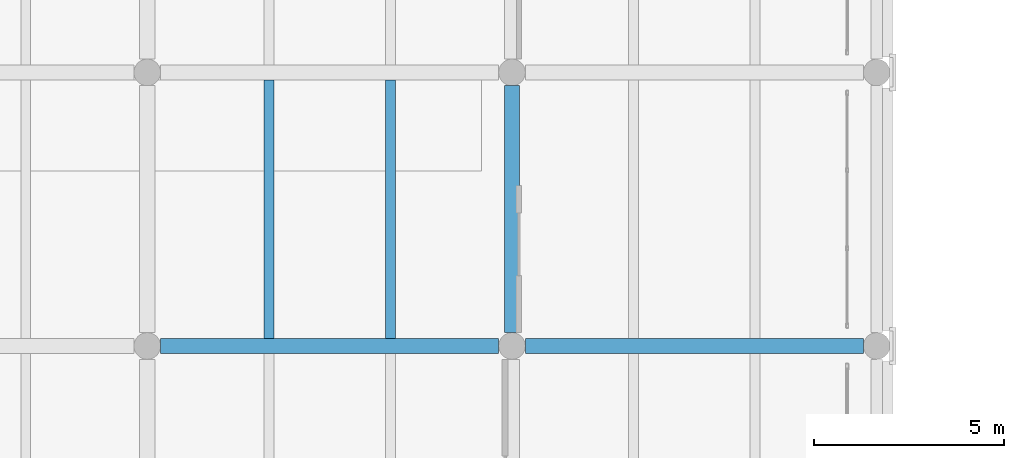
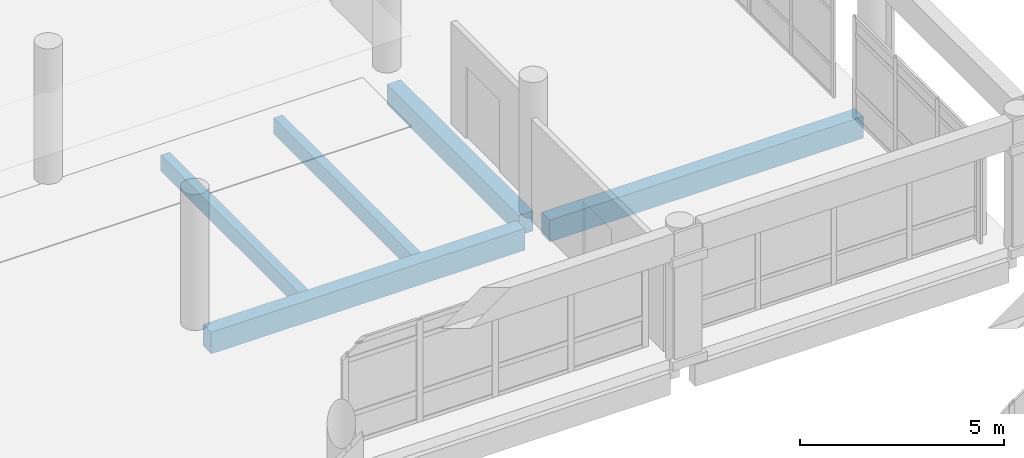
# One storey, part 47 of 180: 5 beams.
"""IFC4 building model written with IfcOpenShell, lengths in metres."""

from ifc_helpers import new_model, si_unit, direction, frame, origin, origin_2d, place, context, subcontext, project, spatial, rectangle, extrude, material, material_profile, profile_set, type_object, element, save


model = new_model("IFC4")

# Units and contexts
model_context = context("Model", 3, precision=1e-05, world=origin(), true_north=direction((0.0, 1.0)))
body_context = subcontext(model_context, "Body", "Model", "MODEL_VIEW")
ifc_project = project(units=[si_unit("LENGTHUNIT", "METRE"), si_unit("AREAUNIT", "SQUARE_METRE"), si_unit("VOLUMEUNIT", "CUBIC_METRE"), si_unit("PLANEANGLEUNIT", "RADIAN"), si_unit("MASSUNIT", "GRAM", prefix="KILO")], contexts=[model_context])

# Site, building, storey
site_placement = place(None, origin())
site = spatial("IfcSite", under=ifc_project, at=site_placement, CompositionType="ELEMENT")
building_placement = place(site_placement, origin())
building = spatial("IfcBuilding", under=site, at=building_placement, Name="Asteropetra Specialist Clinic", CompositionType="ELEMENT")
storey_placement = place(building_placement, frame((0.0, 0.0, 4.419921875)))
storey = spatial("IfcBuildingStorey", under=building, at=storey_placement, Name="L01", CompositionType="ELEMENT", Elevation=4.419921875)

# Beams
ifc_material_1 = material(Name="Concrete C35/45", Category="concrete")
ifc_material_profile_1 = material_profile(ifc_material_1, rectangle(XDim=0.39990234375, YDim=0.60009765625, at=origin_2d()), Name="RCB 400x600")
ifc_profile_set_1 = profile_set([ifc_material_profile_1], Name="Concrete C35/45")
beam_type_1 = type_object("IfcBeamType", Name="BM-RC400x600", PredefinedType="BEAM", material=ifc_profile_set_1)
beam_1_placement = place(storey_placement, frame((38.39990234375, 41.14990234375, -0.599853515625), z_axis=(0.0, 1.0, 0.0), x_axis=(-1.0, 0.0, 0.0)))
element("IfcBeam", 1, at=beam_1_placement, inside=storey, type_object=beam_type_1, Name="Beam BBM08-0352", PredefinedType="BEAM", context=body_context, shape_type="SweptSolid", body=[
    extrude(rectangle(XDim=0.39990234375, YDim=0.60009765625, at=origin_2d()), origin(), (0.0, 0.0, 1.0), 6.5),
])
ifc_material_2 = material(Name="Concrete C35/45", Category="concrete")
ifc_material_profile_2 = material_profile(ifc_material_2, rectangle(XDim=0.39990234375, YDim=0.64990234375, at=origin_2d()), Name="RCB 400x650")
ifc_profile_set_2 = profile_set([ifc_material_profile_2], Name="Concrete C35/45")
beam_type_2 = type_object("IfcBeamType", Name="BM-RC400x650", PredefinedType="BEAM", material=ifc_profile_set_2)
beam_2_placement = place(storey_placement, frame((29.14990234375, 40.800048828125, -0.625), z_axis=(1.0, 0.0, 0.0), x_axis=(0.0, 1.0, 0.0)))
element("IfcBeam", 2, at=beam_2_placement, inside=storey, type_object=beam_type_2, Name="Beam BBM07-0317", PredefinedType="BEAM", context=body_context, shape_type="SweptSolid", body=[
    extrude(rectangle(XDim=0.39990234375, YDim=0.64990234375, at=origin_2d()), origin(), (0.0, 0.0, 1.0), 8.900146484375),
])
beam_3_placement = place(storey_placement, frame((38.75, 40.800048828125, -0.625), z_axis=(1.0, 0.0, 0.0), x_axis=(0.0, 1.0, 0.0)))
element("IfcBeam", 3, at=beam_3_placement, inside=storey, type_object=beam_type_2, Name="Beam BBM07-0318", PredefinedType="BEAM", context=body_context, shape_type="SweptSolid", body=[
    extrude(rectangle(XDim=0.39990234375, YDim=0.64990234375, at=origin_2d()), origin(), (0.0, 0.0, 1.0), 8.89990234375),
])
ifc_material_3 = material(Name="Concrete C35/45", Category="concrete")
ifc_material_profile_3 = material_profile(ifc_material_3, rectangle(XDim=0.260009765625, YDim=0.47998046875, at=origin_2d()), Name="RCJ 260x480")
ifc_profile_set_3 = profile_set([ifc_material_profile_3], Name="Concrete C35/45")
beam_type_3 = type_object("IfcBeamType", Name="JST-RC260x480", PredefinedType="JOIST", material=ifc_profile_set_3)
for number, where, z_axis, x_axis, name in (
    (4, (32.0, 41.0, -0.5400390625), (0.0, 1.0, 0.0), (-1.0, 0.0, 0.0), "Joist JJST02-0360"),
    (5, (35.199951171875, 41.0, -0.5400390625), (0.0, 1.0, 0.0), (-1.0, 0.0, 0.0), "Joist JJST02-0361"),
):
    element("IfcBeam", number, at=place(storey_placement, frame(where, z_axis=z_axis, x_axis=x_axis)), inside=storey, type_object=beam_type_3, Name=name, PredefinedType="JOIST", context=body_context, shape_type="SweptSolid", body=[
        extrude(rectangle(XDim=0.260009765625, YDim=0.47998046875, at=origin_2d()), origin(), (0.0, 0.0, 1.0), 6.800048828125),
    ])

save(model, "model.ifc")
